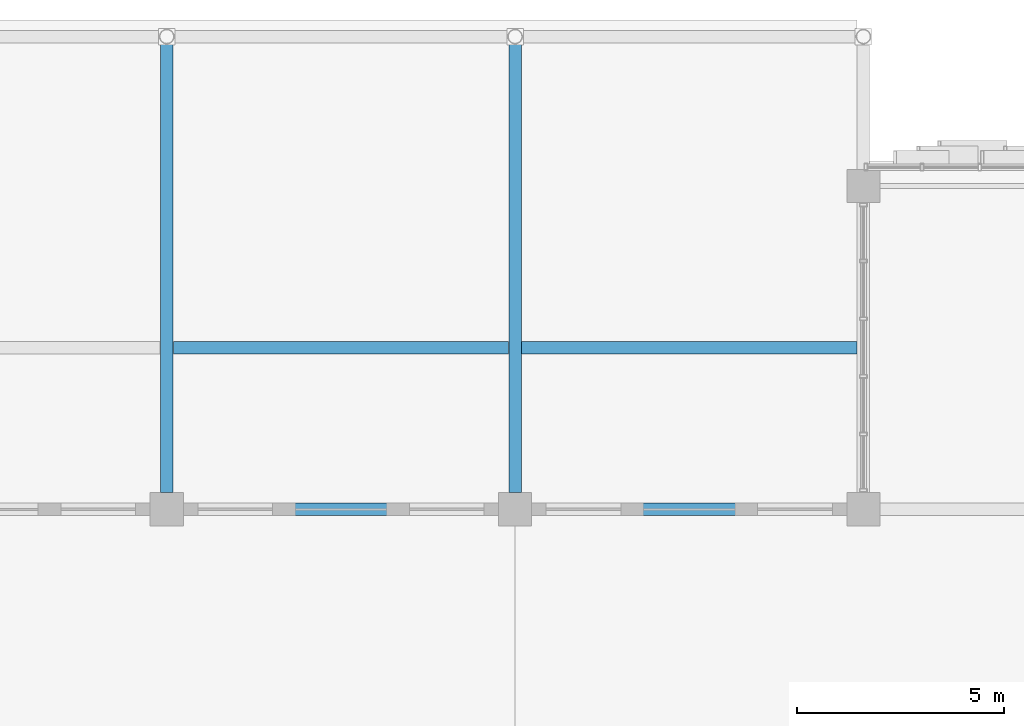
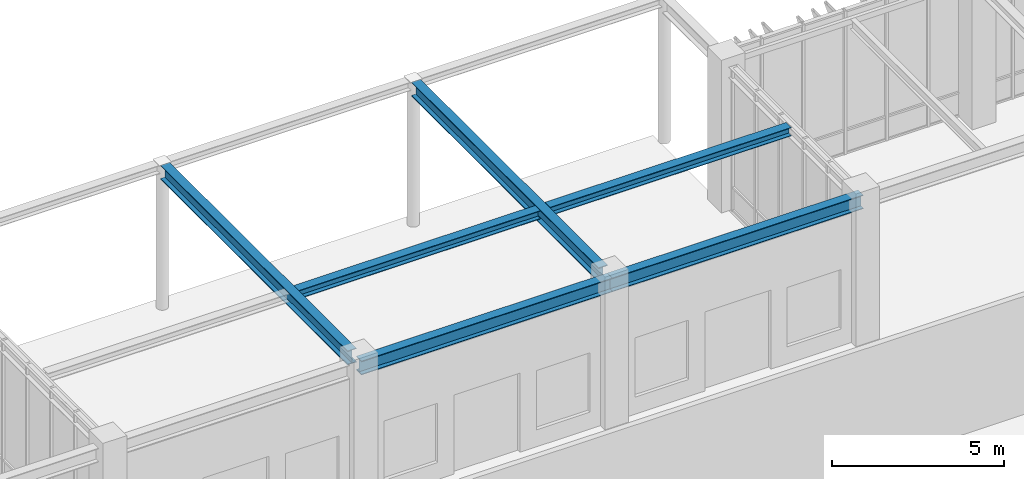
# One storey, part 46 of 122: 6 beams.
"""IFC4 building model written with IfcOpenShell, lengths in metres."""

from ifc_helpers import new_model, si_unit, direction, frame, origin, origin_2d, place, context, subcontext, project, spatial, i_section, extrude, material, material_profile, profile_set, type_object, element, save


model = new_model("IFC4")

# Units and contexts
model_context = context("Model", 3, precision=1e-05, world=origin(), true_north=direction((0.0, 1.0)))
body_context = subcontext(model_context, "Body", "Model", "MODEL_VIEW")
ifc_project = project(units=[si_unit("LENGTHUNIT", "METRE"), si_unit("AREAUNIT", "SQUARE_METRE"), si_unit("VOLUMEUNIT", "CUBIC_METRE"), si_unit("PLANEANGLEUNIT", "RADIAN"), si_unit("MASSUNIT", "GRAM", prefix="KILO")], contexts=[model_context])

# Site, building, storey
site_placement = place(None, origin())
site = spatial("IfcSite", under=ifc_project, at=site_placement, CompositionType="ELEMENT")
building_placement = place(site_placement, origin())
building = spatial("IfcBuilding", under=site, at=building_placement, Name="Zayran Congress Hotel", CompositionType="ELEMENT")
storey_placement = place(building_placement, origin())
storey = spatial("IfcBuildingStorey", under=building, at=storey_placement, Name="L00", CompositionType="ELEMENT", Elevation=0.0)

# Beams
ifc_material = material(Name="Steel S355", Category="steel")
ifc_material_profile_1 = material_profile(ifc_material, i_section(OverallWidth=0.300048828125, OverallDepth=0.489990234375, WebThickness=0.011962890625, FlangeThickness=0.02294921875, at=origin_2d()), Name="HEA 500")
ifc_profile_set_1 = profile_set([ifc_material_profile_1], Name="Steel S355")
beam_type_1 = type_object("IfcBeamType", Name="TP-BM-05", PredefinedType="BEAM", material=ifc_profile_set_1)
beam_1_placement = place(storey_placement, frame((42.0, 109.60009765625, 4.8349609375), z_axis=(1.0, 0.0, 0.0), x_axis=(0.0, 1.0, 0.0)))
element("IfcBeam", 1, at=beam_1_placement, inside=storey, type_object=beam_type_1, Name="BM-V1-L00-0429", PredefinedType="BEAM", context=body_context, shape_type="SweptSolid", body=[
    extrude(i_section(OverallWidth=0.300048828125, OverallDepth=0.489990234375, WebThickness=0.011962890625, FlangeThickness=0.02294921875, at=origin_2d()), origin(), (0.0, 0.0, 1.0), 8.39990234375),
])
beam_2_placement = place(storey_placement, frame((50.39990234375, 109.60009765625, 4.8349609375), z_axis=(1.0, 0.0, 0.0), x_axis=(0.0, 1.0, 0.0)))
element("IfcBeam", 2, at=beam_2_placement, inside=storey, type_object=beam_type_1, Name="BM-V1-L00-0430", PredefinedType="BEAM", context=body_context, shape_type="SweptSolid", body=[
    extrude(i_section(OverallWidth=0.300048828125, OverallDepth=0.489990234375, WebThickness=0.011962890625, FlangeThickness=0.02294921875, at=origin_2d()), origin(), (0.0, 0.0, 1.0), 8.400146484375),
])
ifc_material_profile_2 = material_profile(ifc_material, i_section(OverallWidth=0.300048828125, OverallDepth=0.5, WebThickness=0.014404296875, FlangeThickness=0.028076171875, at=origin_2d()), Name="HEB 500")
ifc_profile_set_2 = profile_set([ifc_material_profile_2], Name="Steel S355")
beam_type_2 = type_object("IfcBeamType", Name="TP-BM-08", PredefinedType="BEAM", material=ifc_profile_set_2)
for number, where, z_axis, x_axis, name in (
    (3, (42.0, 110.0, 4.909912109375), (0.0, 1.0, 0.0), (-1.0, 0.0, 0.0), "BM-NCAN-RIB-2"),
    (4, (50.39990234375, 110.0, 4.909912109375), (0.0, 1.0, 0.0), (-1.0, 0.0, 0.0), "BM-NCAN-RIB-3"),
):
    element("IfcBeam", number, at=place(storey_placement, frame(where, z_axis=z_axis, x_axis=x_axis)), inside=storey, type_object=beam_type_2, Name=name, PredefinedType="BEAM", context=body_context, shape_type="SweptSolid", body=[
        extrude(i_section(OverallWidth=0.300048828125, OverallDepth=0.5, WebThickness=0.014404296875, FlangeThickness=0.028076171875, at=origin_2d()), origin(), (0.0, 0.0, 1.0), 10.840087890625),
    ])
ifc_material_profile_3 = material_profile(ifc_material, i_section(OverallWidth=0.300048828125, OverallDepth=0.300048828125, WebThickness=0.010986328125, FlangeThickness=0.01904296875, at=origin_2d()), Name="HEB 300")
ifc_profile_set_3 = profile_set([ifc_material_profile_3], Name="Steel S355")
beam_type_3 = type_object("IfcBeamType", Name="TP-BM-11", PredefinedType="BEAM", material=ifc_profile_set_3)
beam_3_placement = place(storey_placement, frame((42.159912109375, 113.5, 5.010009765625), z_axis=(1.0, 0.0, 0.0), x_axis=(0.0, 1.0, 0.0)))
element("IfcBeam", 5, at=beam_3_placement, inside=storey, type_object=beam_type_3, Name="BM-NCAN-TIE-2", PredefinedType="BEAM", context=body_context, shape_type="SweptSolid", body=[
    extrude(i_section(OverallWidth=0.300048828125, OverallDepth=0.300048828125, WebThickness=0.010986328125, FlangeThickness=0.01904296875, at=origin_2d()), origin(), (0.0, 0.0, 1.0), 8.080078125),
])
beam_4_placement = place(storey_placement, frame((50.56005859375, 113.5, 5.010009765625), z_axis=(1.0, 0.0, 0.0), x_axis=(0.0, 1.0, 0.0)))
element("IfcBeam", 6, at=beam_4_placement, inside=storey, type_object=beam_type_3, Name="BM-NCAN-TIE-3", PredefinedType="BEAM", context=body_context, shape_type="SweptSolid", body=[
    extrude(i_section(OverallWidth=0.300048828125, OverallDepth=0.300048828125, WebThickness=0.010986328125, FlangeThickness=0.01904296875, at=origin_2d()), origin(), (0.0, 0.0, 1.0), 8.079833984375),
])

save(model, "model.ifc")
